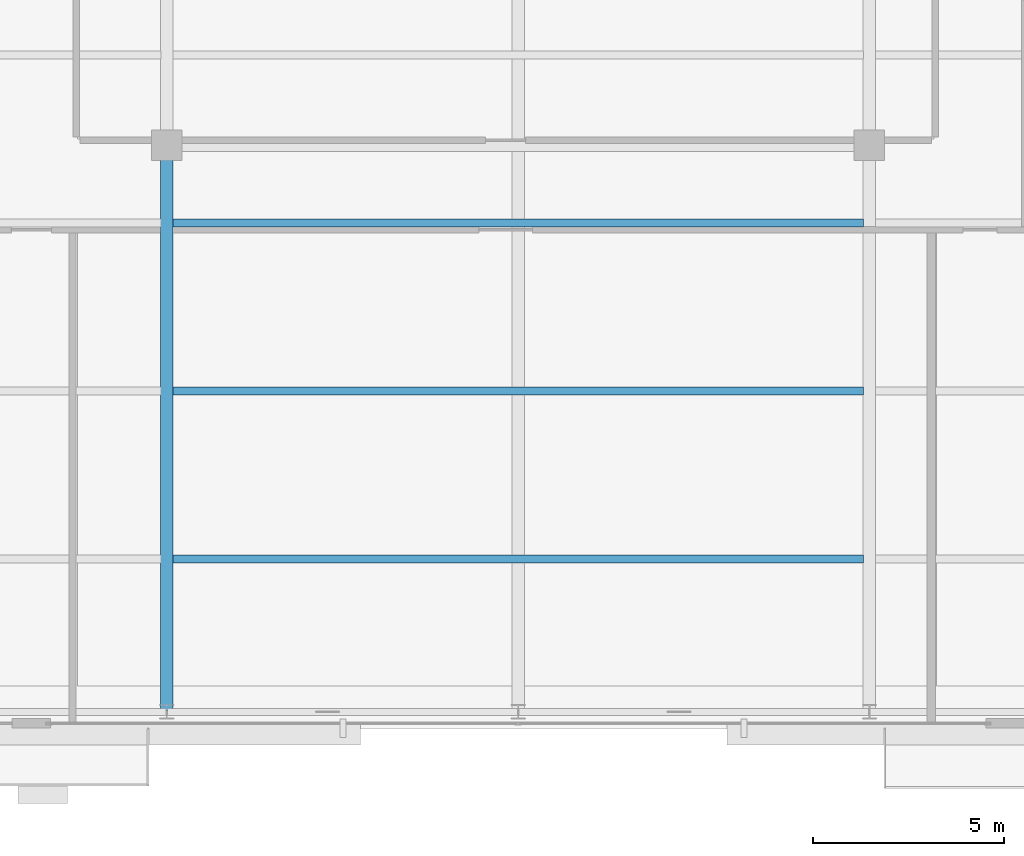
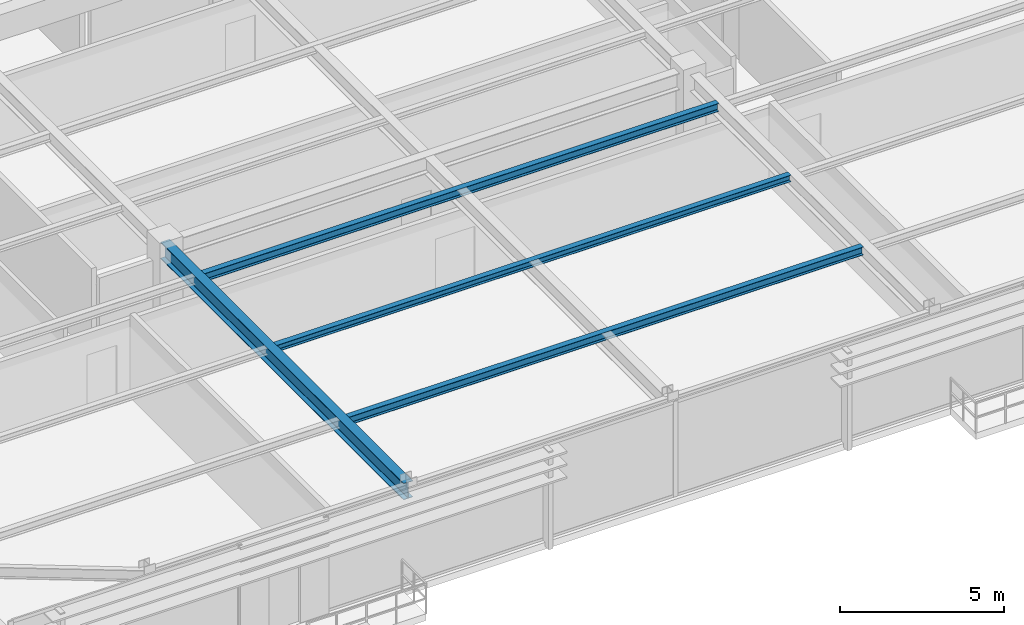
# One storey, part 9 of 31: 4 beams.
"""IFC4 building model written with IfcOpenShell, lengths in metres."""

import ifcopenshell
import ifcopenshell.guid

model = None  # the IFC model being written
_history = None  # IfcOwnerHistory: only IFC2X3 demands one
_inside = {}  # id of a spatial element -> (the spatial element, [elements in it])
_under = {}  # id of a project, library or spatial element -> (it, [spatial elements below it])
_declared = {}  # id of a project -> (the project, [libraries it declares])
_typed = {}  # id of a type object -> (the type object, [elements of that type])
_made_of = {}  # id of a material, layer set ... -> (it, [elements and type objects made of it])


def new_model(schema):
    """Start an empty IFC model of exactly this schema.

    Asked for "IFC4X3", IfcOpenShell would pick the latest addendum, in which some entities
    have other attributes; the version numbers below select the first issue.
    IFC2X3 requires an IfcOwnerHistory on every rooted entity: one is made here for all.
    """
    global model, _history
    if schema == "IFC4X3":
        model = ifcopenshell.file(schema_version=(4, 3, 0, 0))
    else:
        model = ifcopenshell.file(schema=schema)
    _inside.clear()
    _under.clear()
    _declared.clear()
    _typed.clear()
    _made_of.clear()
    _history = None
    if model.schema == "IFC2X3":
        org = make("IfcOrganization", Name="unknown")
        user = make(
            "IfcPersonAndOrganization",
            ThePerson=make("IfcPerson", FamilyName="unknown"),
            TheOrganization=org,
        )
        app = make(
            "IfcApplication",
            ApplicationDeveloper=org,
            Version="unknown",
            ApplicationFullName="unknown",
            ApplicationIdentifier="unknown",
        )
        _history = make(
            "IfcOwnerHistory",
            OwningUser=user,
            OwningApplication=app,
            ChangeAction="ADDED",
            CreationDate=0,
        )
    return model


def make(cls, **values):
    """One entity of the class cls with the attributes given. An attribute that is None is left unset."""
    return model.create_entity(
        cls, **{name: value for name, value in values.items() if value is not None}
    )


def rooted(cls, **values):
    """An entity with a GlobalId (a new one), such as an element, a storey or a relation."""
    return make(cls, GlobalId=ifcopenshell.guid.new(), OwnerHistory=_history, **values)


def si_unit(unit_type, name, prefix=None):
    """IfcSIUnit, for example si_unit("LENGTHUNIT", "METRE", prefix="MILLI")."""
    return make("IfcSIUnit", UnitType=unit_type, Prefix=prefix, Name=name)


def assignment(units):
    """IfcUnitAssignment: the units of a project."""
    return None if units is None else make("IfcUnitAssignment", Units=units)


def point(xyz):
    """IfcCartesianPoint."""
    return None if xyz is None else make("IfcCartesianPoint", Coordinates=xyz)


def direction(xyz):
    """IfcDirection."""
    return None if xyz is None else make("IfcDirection", DirectionRatios=xyz)


def frame(location, z_axis=None, x_axis=None):
    """IfcAxis2Placement3D, a coordinate frame: its origin and axes. An axis left out is left unset."""
    return make(
        "IfcAxis2Placement3D",
        Location=point(location),
        Axis=direction(z_axis),
        RefDirection=direction(x_axis),
    )


def frame_2d(location, x_axis=None):
    """IfcAxis2Placement2D, a coordinate frame in the plane: its origin and x axis."""
    return make(
        "IfcAxis2Placement2D", Location=point(location), RefDirection=direction(x_axis)
    )


def origin():
    """The frame at (0, 0, 0) with its axes left unset."""
    return frame((0.0, 0.0, 0.0))


def origin_2d():
    """The frame at (0, 0) in the plane with its x axis left unset."""
    return frame_2d((0.0, 0.0))


def place(relative_to, where):
    """IfcLocalPlacement: puts the frame where relative to a parent placement (None: the world)."""
    return make(
        "IfcLocalPlacement", PlacementRelTo=relative_to, RelativePlacement=where
    )


def context(
    kind, dimensions, precision=None, world=None, true_north=None, identifier=None
):
    """IfcGeometricRepresentationContext, for example the 3D "Model" context."""
    return make(
        "IfcGeometricRepresentationContext",
        ContextIdentifier=identifier,
        ContextType=kind,
        CoordinateSpaceDimension=dimensions,
        Precision=precision,
        WorldCoordinateSystem=world,
        TrueNorth=true_north,
    )


def subcontext(parent, identifier, kind, view, scale=None):
    """IfcGeometricRepresentationSubContext, for example "Body" below "Model"."""
    return make(
        "IfcGeometricRepresentationSubContext",
        ContextIdentifier=identifier,
        ContextType=kind,
        ParentContext=parent,
        TargetScale=scale,
        TargetView=view,
    )


def project(units=None, contexts=None):
    """IfcProject with its units and contexts."""
    return rooted(
        "IfcProject",
        Name="project",
        RepresentationContexts=contexts,
        UnitsInContext=assignment(units),
    )


def spatial(cls, under=None, at=None, **own):
    """A site, building, storey or space (cls), placed at a placement, below another one or the project."""
    s = rooted(cls, ObjectPlacement=at, **own)
    if under is not None:
        _under.setdefault(under.id(), (under, []))[1].append(s)
    return s


def profile(cls, at=None, kind="AREA", **sizes):
    """A parametric profile (cls). Its sizes go by their IFC names, for example OverallWidth=200.0."""
    return make(cls, ProfileType=kind, Position=at, **sizes)


def i_section(**sizes):
    """IfcIShapeProfileDef."""
    return profile("IfcIShapeProfileDef", **sizes)


def extrude(swept, where, along, depth):
    """IfcExtrudedAreaSolid: the profile swept, set in the frame where, extruded along a direction by depth."""
    return make(
        "IfcExtrudedAreaSolid",
        SweptArea=swept,
        Position=where,
        ExtrudedDirection=direction(along),
        Depth=depth,
    )


def shape(context_of_items, identifier, shape_type, items):
    """IfcShapeRepresentation: the items that make up one representation, for example the "Body"."""
    return make(
        "IfcShapeRepresentation",
        ContextOfItems=context_of_items,
        RepresentationIdentifier=identifier,
        RepresentationType=shape_type,
        Items=items,
    )


def source(mapping_origin, context_of_items, identifier, shape_type, items):
    """IfcRepresentationMap: a shape defined once, which mapped items show again and again."""
    return make(
        "IfcRepresentationMap",
        MappingOrigin=mapping_origin,
        MappedRepresentation=shape(context_of_items, identifier, shape_type, items),
    )


def transform(
    local_origin,
    x_axis=None,
    y_axis=None,
    z_axis=None,
    scale=None,
    scale2=None,
    scale3=None,
    uniform=True,
):
    """IfcCartesianTransformationOperator3D, or its non-uniform kind. x_axis, y_axis, z_axis: its Axis1, 2, 3."""
    if uniform:
        return make(
            "IfcCartesianTransformationOperator3D",
            Axis1=direction(x_axis),
            Axis2=direction(y_axis),
            LocalOrigin=point(local_origin),
            Scale=scale,
            Axis3=direction(z_axis),
        )
    return make(
        "IfcCartesianTransformationOperator3DnonUniform",
        Axis1=direction(x_axis),
        Axis2=direction(y_axis),
        LocalOrigin=point(local_origin),
        Scale=scale,
        Axis3=direction(z_axis),
        Scale2=scale2,
        Scale3=scale3,
    )


def mapped(mapping_source, mapping_target):
    """IfcMappedItem: shows the shape of a source again, moved by a transform."""
    return make(
        "IfcMappedItem", MappingSource=mapping_source, MappingTarget=mapping_target
    )


def material(Name=None, Category=None):
    """IfcMaterial."""
    return make("IfcMaterial", Name=Name, Category=Category)


def material_profile(
    of_material, cross_section, Name=None, Category=None, Priority=None
):
    """IfcMaterialProfile: a cross section and its material."""
    return make(
        "IfcMaterialProfile",
        Name=Name,
        Material=of_material,
        Profile=cross_section,
        Priority=Priority,
        Category=Category,
    )


def profile_set(profiles, Name=None, composite=None):
    """IfcMaterialProfileSet."""
    return make(
        "IfcMaterialProfileSet",
        Name=Name,
        MaterialProfiles=profiles,
        CompositeProfile=composite,
    )


def made_of(thing, what):
    """Note that an element or type object is made of a material, layer set ...; save() writes the relation."""
    if what is not None:
        _made_of.setdefault(what.id(), (what, []))[1].append(thing)
    return thing


def type_object(cls, material=None, **own):
    """A type object (cls), such as IfcWallType, which elements share."""
    return made_of(rooted(cls, **own), material)


def type_shapes(of_type, sources):
    """Give a type object the sources (RepresentationMaps) that its elements show as mapped items."""
    of_type.RepresentationMaps = sources


def element(
    cls,
    number,
    at=None,
    inside=None,
    cuts=None,
    type_object=None,
    material=None,
    context=None,
    identifier="Body",
    shape_type=None,
    held_by="IfcProductDefinitionShape",
    body=None,
    shapes=None,
    **own,
):
    """One element of the class cls, such as IfcWall. Its Tag is "e" and its number.

    at: its placement. inside: the storey or other place that contains it. cuts: it is an
    opening in that element (IfcRelVoidsElement). A single representation is given by context,
    identifier, shape_type and body (its items); several are given by shapes. held_by: the class
    of the entity that holds the representations. save() writes the other relations.
    """
    e = rooted(cls, Tag="e%d" % number, ObjectPlacement=at, **own)
    if body is not None:
        shapes = [shape(context, identifier, shape_type, body)]
    if shapes is not None:
        e.Representation = make(held_by, Representations=shapes)
    if inside is not None:
        _inside.setdefault(inside.id(), (inside, []))[1].append(e)
    if cuts is not None:
        rooted(
            "IfcRelVoidsElement", RelatingBuildingElement=cuts, RelatedOpeningElement=e
        )
    if type_object is not None:
        _typed.setdefault(type_object.id(), (type_object, []))[1].append(e)
    return made_of(e, material)


def aggregate(whole, parts):
    """IfcRelAggregates: a whole, such as a stair, and the parts it consists of."""
    return rooted("IfcRelAggregates", RelatingObject=whole, RelatedObjects=parts)


def save(model, path):
    """Write the relations noted so far, then the file.

    IfcRelAggregates (storeys below a building ...), IfcRelContainedInSpatialStructure (elements
    in a storey), IfcRelDefinesByType, IfcRelAssociatesMaterial and IfcRelDeclares: one each for
    every whole, place, type object, material and project.
    """
    for whole, parts in _under.values():
        aggregate(whole, parts)
    for where, things in _inside.values():
        rooted(
            "IfcRelContainedInSpatialStructure",
            RelatedElements=things,
            RelatingStructure=where,
        )
    for kind, things in _typed.values():
        rooted("IfcRelDefinesByType", RelatedObjects=things, RelatingType=kind)
    for what, things in _made_of.values():
        rooted("IfcRelAssociatesMaterial", RelatedObjects=things, RelatingMaterial=what)
    for by, libraries in _declared.values():
        rooted("IfcRelDeclares", RelatingContext=by, RelatedDefinitions=libraries)
    model.write(path)


model = new_model("IFC4")

# Units and contexts
model_context = context("Model", 3, precision=1e-05, world=origin(), true_north=direction((0.0, 1.0)))
body_context = subcontext(model_context, "Body", "Model", "MODEL_VIEW")
ifc_project = project(units=[si_unit("LENGTHUNIT", "METRE"), si_unit("AREAUNIT", "SQUARE_METRE"), si_unit("VOLUMEUNIT", "CUBIC_METRE"), si_unit("PLANEANGLEUNIT", "RADIAN"), si_unit("MASSUNIT", "GRAM", prefix="KILO")], contexts=[model_context])

# Site, building, storey
site_placement = place(None, origin())
site = spatial("IfcSite", under=ifc_project, at=site_placement, CompositionType="ELEMENT")
building_placement = place(site_placement, origin())
building = spatial("IfcBuilding", under=site, at=building_placement, Name="Varnel Quay Broadcast Tower", CompositionType="ELEMENT")
storey_placement = place(building_placement, frame((0.0, 0.0, 153.39990234375)))
storey = spatial("IfcBuildingStorey", under=building, at=storey_placement, Name="L37", CompositionType="ELEMENT", Elevation=153.39990234375)

# Beams
ifc_material = material(Name="Structural Steel CSA G40.21 350W", Category="steel")
ifc_material_profile_1 = material_profile(ifc_material, i_section(OverallWidth=0.324951171875, OverallDepth=0.615966796875, WebThickness=0.013916015625, FlangeThickness=0.021484375, FilletRadius=0.01611328125, at=origin_2d()), Name="W610X174")
ifc_profile_set_1 = profile_set([ifc_material_profile_1], Name="Structural Steel CSA G40.21 350W")
beam_type_1 = type_object("IfcBeamType", Name="Girder_W610X174", PredefinedType="BEAM", material=ifc_profile_set_1)
shared_shape_1 = source(origin(), body_context, "Body", "SweptSolid", [
    extrude(i_section(OverallWidth=0.324951171875, OverallDepth=0.615966796875, WebThickness=0.013916015625, FlangeThickness=0.021484375, FilletRadius=0.01611328125, at=origin_2d()), origin(), (0.0, 0.0, 1.0), 14.800048828125),
])
type_shapes(beam_type_1, [shared_shape_1])
beam_1_placement = place(storey_placement, frame((24.800048828125, 7.669921875, 3.2421875), z_axis=(0.0, 1.0, 0.0), x_axis=(-1.0, 0.0, 0.0)))
element("IfcBeam", 1, at=beam_1_placement, inside=storey, type_object=beam_type_1, Name="L37 Primary Girder TC-S2-IC-01", PredefinedType="BEAM", context=body_context, shape_type="MappedRepresentation", body=[
    mapped(shared_shape_1, transform((0.0, 0.0, 0.0), x_axis=(1.0, 0.0, 0.0), y_axis=(0.0, 1.0, 0.0), z_axis=(0.0, 0.0, 1.0), scale=1.0)),
])
ifc_material_profile_2 = material_profile(ifc_material, i_section(OverallWidth=0.202880859375, OverallDepth=0.302978515625, WebThickness=0.007568359375, FlangeThickness=0.01318359375, FilletRadius=0.011962890625, at=origin_2d()), Name="W310X60")
ifc_profile_set_2 = profile_set([ifc_material_profile_2], Name="Structural Steel CSA G40.21 350W")
beam_type_2 = type_object("IfcBeamType", Name="Beam_W310X60", PredefinedType="JOIST", material=ifc_profile_set_2)
shared_shape_2 = source(origin(), body_context, "Body", "SweptSolid", [
    extrude(i_section(OverallWidth=0.202880859375, OverallDepth=0.302978515625, WebThickness=0.007568359375, FlangeThickness=0.01318359375, FilletRadius=0.011962890625, at=origin_2d()), origin(), (0.0, 0.0, 1.0), 18.0849609375),
])
type_shapes(beam_type_2, [shared_shape_2])
for number, where, z_axis, x_axis, name in (
    (2, (24.95751953125, 11.64990234375, 3.398681640625), (1.0, 0.0, 0.0), (0.0, 1.0, 0.0), "L37 Central Floor Joist 1"),
    (3, (24.95751953125, 20.449951171875, 3.398681640625), (1.0, 0.0, 0.0), (0.0, 1.0, 0.0), "L37 Central Floor Joist 3"),
):
    element("IfcBeam", number, at=place(storey_placement, frame(where, z_axis=z_axis, x_axis=x_axis)), inside=storey, type_object=beam_type_2, Name=name, PredefinedType="JOIST", context=body_context, shape_type="MappedRepresentation", body=[
        mapped(shared_shape_2, transform((0.0, 0.0, 0.0), x_axis=(1.0, 0.0, 0.0), y_axis=(0.0, 1.0, 0.0), z_axis=(0.0, 0.0, 1.0), scale=1.0)),
    ])
ifc_material_profile_3 = material_profile(ifc_material, i_section(OverallWidth=0.201904296875, OverallDepth=0.2470703125, WebThickness=0.00732421875, FlangeThickness=0.010986328125, FilletRadius=0.010986328125, at=origin_2d()), Name="W250X49")
ifc_profile_set_3 = profile_set([ifc_material_profile_3], Name="Structural Steel CSA G40.21 350W")
beam_type_3 = type_object("IfcBeamType", Name="Beam_W250X49", PredefinedType="JOIST", material=ifc_profile_set_3)
shared_shape_3 = source(origin(), body_context, "Body", "SweptSolid", [
    extrude(i_section(OverallWidth=0.201904296875, OverallDepth=0.2470703125, WebThickness=0.00732421875, FlangeThickness=0.010986328125, FilletRadius=0.010986328125, at=origin_2d()), origin(), (0.0, 0.0, 1.0), 18.0849609375),
])
type_shapes(beam_type_3, [shared_shape_3])
beam_2_placement = place(storey_placement, frame((24.95751953125, 16.050048828125, 3.426513671875), z_axis=(1.0, 0.0, 0.0), x_axis=(0.0, 1.0, 0.0)))
element("IfcBeam", 4, at=beam_2_placement, inside=storey, type_object=beam_type_3, Name="L37 Central Floor Joist 2", PredefinedType="JOIST", context=body_context, shape_type="MappedRepresentation", body=[
    mapped(shared_shape_3, transform((0.0, 0.0, 0.0), x_axis=(1.0, 0.0, 0.0), y_axis=(0.0, 1.0, 0.0), z_axis=(0.0, 0.0, 1.0), scale=1.0)),
])

save(model, "model.ifc")
